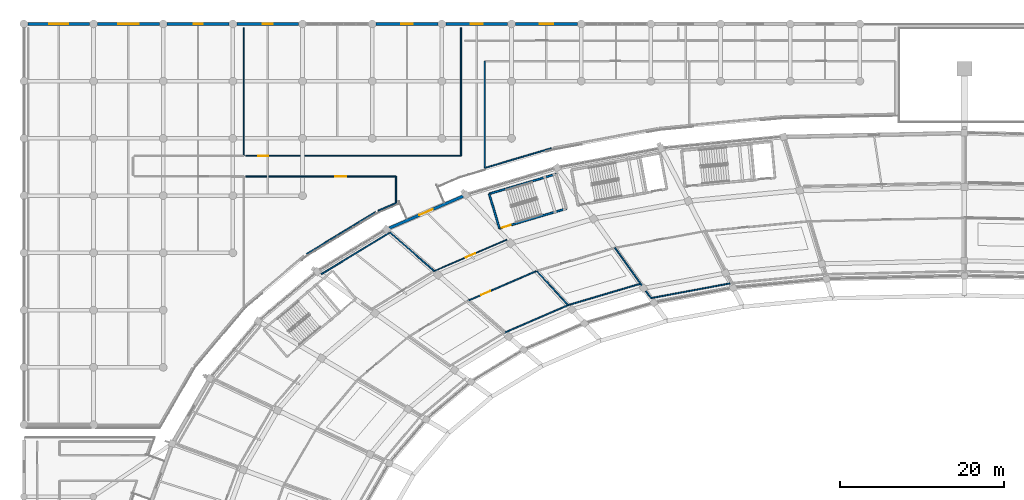
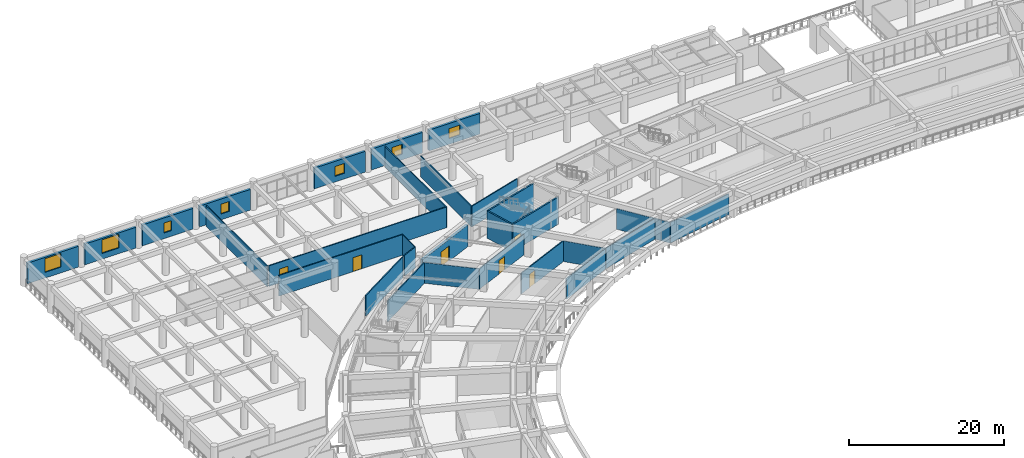
# One storey, part 108 of 145: 29 walls, 7 windows, 6 doors, 13 openings.
"""IFC4 building model written with IfcOpenShell, lengths in metres."""

import ifcopenshell
import ifcopenshell.guid

model = None  # the IFC model being written
_history = None  # IfcOwnerHistory: only IFC2X3 demands one
_inside = {}  # id of a spatial element -> (the spatial element, [elements in it])
_under = {}  # id of a project, library or spatial element -> (it, [spatial elements below it])
_declared = {}  # id of a project -> (the project, [libraries it declares])
_typed = {}  # id of a type object -> (the type object, [elements of that type])
_made_of = {}  # id of a material, layer set ... -> (it, [elements and type objects made of it])


def new_model(schema):
    """Start an empty IFC model of exactly this schema.

    Asked for "IFC4X3", IfcOpenShell would pick the latest addendum, in which some entities
    have other attributes; the version numbers below select the first issue.
    IFC2X3 requires an IfcOwnerHistory on every rooted entity: one is made here for all.
    """
    global model, _history
    if schema == "IFC4X3":
        model = ifcopenshell.file(schema_version=(4, 3, 0, 0))
    else:
        model = ifcopenshell.file(schema=schema)
    _inside.clear()
    _under.clear()
    _declared.clear()
    _typed.clear()
    _made_of.clear()
    _history = None
    if model.schema == "IFC2X3":
        org = make("IfcOrganization", Name="unknown")
        user = make(
            "IfcPersonAndOrganization",
            ThePerson=make("IfcPerson", FamilyName="unknown"),
            TheOrganization=org,
        )
        app = make(
            "IfcApplication",
            ApplicationDeveloper=org,
            Version="unknown",
            ApplicationFullName="unknown",
            ApplicationIdentifier="unknown",
        )
        _history = make(
            "IfcOwnerHistory",
            OwningUser=user,
            OwningApplication=app,
            ChangeAction="ADDED",
            CreationDate=0,
        )
    return model


def make(cls, **values):
    """One entity of the class cls with the attributes given. An attribute that is None is left unset."""
    return model.create_entity(
        cls, **{name: value for name, value in values.items() if value is not None}
    )


def rooted(cls, **values):
    """An entity with a GlobalId (a new one), such as an element, a storey or a relation."""
    return make(cls, GlobalId=ifcopenshell.guid.new(), OwnerHistory=_history, **values)


def si_unit(unit_type, name, prefix=None):
    """IfcSIUnit, for example si_unit("LENGTHUNIT", "METRE", prefix="MILLI")."""
    return make("IfcSIUnit", UnitType=unit_type, Prefix=prefix, Name=name)


def assignment(units):
    """IfcUnitAssignment: the units of a project."""
    return None if units is None else make("IfcUnitAssignment", Units=units)


def point(xyz):
    """IfcCartesianPoint."""
    return None if xyz is None else make("IfcCartesianPoint", Coordinates=xyz)


def direction(xyz):
    """IfcDirection."""
    return None if xyz is None else make("IfcDirection", DirectionRatios=xyz)


def frame(location, z_axis=None, x_axis=None):
    """IfcAxis2Placement3D, a coordinate frame: its origin and axes. An axis left out is left unset."""
    return make(
        "IfcAxis2Placement3D",
        Location=point(location),
        Axis=direction(z_axis),
        RefDirection=direction(x_axis),
    )


def frame_2d(location, x_axis=None):
    """IfcAxis2Placement2D, a coordinate frame in the plane: its origin and x axis."""
    return make(
        "IfcAxis2Placement2D", Location=point(location), RefDirection=direction(x_axis)
    )


def origin():
    """The frame at (0, 0, 0) with its axes left unset."""
    return frame((0.0, 0.0, 0.0))


def place(relative_to, where):
    """IfcLocalPlacement: puts the frame where relative to a parent placement (None: the world)."""
    return make(
        "IfcLocalPlacement", PlacementRelTo=relative_to, RelativePlacement=where
    )


def context(
    kind, dimensions, precision=None, world=None, true_north=None, identifier=None
):
    """IfcGeometricRepresentationContext, for example the 3D "Model" context."""
    return make(
        "IfcGeometricRepresentationContext",
        ContextIdentifier=identifier,
        ContextType=kind,
        CoordinateSpaceDimension=dimensions,
        Precision=precision,
        WorldCoordinateSystem=world,
        TrueNorth=true_north,
    )


def subcontext(parent, identifier, kind, view, scale=None):
    """IfcGeometricRepresentationSubContext, for example "Body" below "Model"."""
    return make(
        "IfcGeometricRepresentationSubContext",
        ContextIdentifier=identifier,
        ContextType=kind,
        ParentContext=parent,
        TargetScale=scale,
        TargetView=view,
    )


def project(units=None, contexts=None):
    """IfcProject with its units and contexts."""
    return rooted(
        "IfcProject",
        Name="project",
        RepresentationContexts=contexts,
        UnitsInContext=assignment(units),
    )


def spatial(cls, under=None, at=None, **own):
    """A site, building, storey or space (cls), placed at a placement, below another one or the project."""
    s = rooted(cls, ObjectPlacement=at, **own)
    if under is not None:
        _under.setdefault(under.id(), (under, []))[1].append(s)
    return s


def profile(cls, at=None, kind="AREA", **sizes):
    """A parametric profile (cls). Its sizes go by their IFC names, for example OverallWidth=200.0."""
    return make(cls, ProfileType=kind, Position=at, **sizes)


def rectangle(**sizes):
    """IfcRectangleProfileDef."""
    return profile("IfcRectangleProfileDef", **sizes)


def extrude(swept, where, along, depth):
    """IfcExtrudedAreaSolid: the profile swept, set in the frame where, extruded along a direction by depth."""
    return make(
        "IfcExtrudedAreaSolid",
        SweptArea=swept,
        Position=where,
        ExtrudedDirection=direction(along),
        Depth=depth,
    )


def shape(context_of_items, identifier, shape_type, items):
    """IfcShapeRepresentation: the items that make up one representation, for example the "Body"."""
    return make(
        "IfcShapeRepresentation",
        ContextOfItems=context_of_items,
        RepresentationIdentifier=identifier,
        RepresentationType=shape_type,
        Items=items,
    )


def material(Name=None, Category=None):
    """IfcMaterial."""
    return make("IfcMaterial", Name=Name, Category=Category)


def layer(
    of_material, thickness, ventilated=None, Name=None, Category=None, Priority=None
):
    """IfcMaterialLayer: one layer of a wall or slab, of a material (None: an air gap)."""
    return make(
        "IfcMaterialLayer",
        Material=of_material,
        LayerThickness=thickness,
        IsVentilated=ventilated,
        Name=Name,
        Category=Category,
        Priority=Priority,
    )


def layer_set(layers, Name=None):
    """IfcMaterialLayerSet."""
    return make("IfcMaterialLayerSet", MaterialLayers=layers, LayerSetName=Name)


def made_of(thing, what):
    """Note that an element or type object is made of a material, layer set ...; save() writes the relation."""
    if what is not None:
        _made_of.setdefault(what.id(), (what, []))[1].append(thing)
    return thing


def type_object(cls, material=None, **own):
    """A type object (cls), such as IfcWallType, which elements share."""
    return made_of(rooted(cls, **own), material)


def element(
    cls,
    number,
    at=None,
    inside=None,
    cuts=None,
    type_object=None,
    material=None,
    context=None,
    identifier="Body",
    shape_type=None,
    held_by="IfcProductDefinitionShape",
    body=None,
    shapes=None,
    **own,
):
    """One element of the class cls, such as IfcWall. Its Tag is "e" and its number.

    at: its placement. inside: the storey or other place that contains it. cuts: it is an
    opening in that element (IfcRelVoidsElement). A single representation is given by context,
    identifier, shape_type and body (its items); several are given by shapes. held_by: the class
    of the entity that holds the representations. save() writes the other relations.
    """
    e = rooted(cls, Tag="e%d" % number, ObjectPlacement=at, **own)
    if body is not None:
        shapes = [shape(context, identifier, shape_type, body)]
    if shapes is not None:
        e.Representation = make(held_by, Representations=shapes)
    if inside is not None:
        _inside.setdefault(inside.id(), (inside, []))[1].append(e)
    if cuts is not None:
        rooted(
            "IfcRelVoidsElement", RelatingBuildingElement=cuts, RelatedOpeningElement=e
        )
    if type_object is not None:
        _typed.setdefault(type_object.id(), (type_object, []))[1].append(e)
    return made_of(e, material)


def fill(opening, filler):
    """IfcRelFillsElement: the door or window that sits in an opening."""
    return rooted(
        "IfcRelFillsElement",
        RelatingOpeningElement=opening,
        RelatedBuildingElement=filler,
    )


def aggregate(whole, parts):
    """IfcRelAggregates: a whole, such as a stair, and the parts it consists of."""
    return rooted("IfcRelAggregates", RelatingObject=whole, RelatedObjects=parts)


def save(model, path):
    """Write the relations noted so far, then the file.

    IfcRelAggregates (storeys below a building ...), IfcRelContainedInSpatialStructure (elements
    in a storey), IfcRelDefinesByType, IfcRelAssociatesMaterial and IfcRelDeclares: one each for
    every whole, place, type object, material and project.
    """
    for whole, parts in _under.values():
        aggregate(whole, parts)
    for where, things in _inside.values():
        rooted(
            "IfcRelContainedInSpatialStructure",
            RelatedElements=things,
            RelatingStructure=where,
        )
    for kind, things in _typed.values():
        rooted("IfcRelDefinesByType", RelatedObjects=things, RelatingType=kind)
    for what, things in _made_of.values():
        rooted("IfcRelAssociatesMaterial", RelatedObjects=things, RelatingMaterial=what)
    for by, libraries in _declared.values():
        rooted("IfcRelDeclares", RelatingContext=by, RelatedDefinitions=libraries)
    model.write(path)


model = new_model("IFC4")

# Units and contexts
model_context = context("Model", 3, precision=1e-05, world=origin(), true_north=direction((0.0, 1.0)))
body_context = subcontext(model_context, "Body", "Model", "MODEL_VIEW")
ifc_project = project(units=[si_unit("LENGTHUNIT", "METRE"), si_unit("AREAUNIT", "SQUARE_METRE"), si_unit("VOLUMEUNIT", "CUBIC_METRE"), si_unit("PLANEANGLEUNIT", "RADIAN"), si_unit("MASSUNIT", "GRAM", prefix="KILO")], contexts=[model_context])

# Site, building, storey
site_placement = place(None, origin())
site = spatial("IfcSite", under=ifc_project, at=site_placement, CompositionType="ELEMENT")
building_placement = place(site_placement, origin())
building = spatial("IfcBuilding", under=site, at=building_placement, Name="Mphavela Belvedere Stadium", CompositionType="ELEMENT")
storey_placement = place(building_placement, frame((0.0, 0.0, 10.199951171875)))
storey = spatial("IfcBuildingStorey", under=building, at=storey_placement, Name="L02", CompositionType="ELEMENT", Elevation=10.199951171875)

# Walls
ifc_material_1 = material(Name="Concrete C40/50", Category="concrete")
ifc_layer_1 = layer(ifc_material_1, 0.219970703125)
ifc_layer_set_1 = layer_set([ifc_layer_1], Name="Concrete C40/50")
wall_type_1 = type_object("IfcWallType", Name="WAL-CORE-SHEAR-220", PredefinedType="SHEAR", material=ifc_layer_set_1)
wall_1_placement = place(storey_placement, frame((56.89501953125, 153.214111328125, 0.0), z_axis=(0.0, 0.0, 1.0), x_axis=(0.958675743706, 0.284500998997, 0.0)))
element("IfcWall", 1, at=wall_1_placement, inside=storey, type_object=wall_type_1, Name="Core P03 shear wall L02 rear", PredefinedType="SHEAR", context=body_context, shape_type="SweptSolid", body=[
    extrude(rectangle(XDim=8.540283203125, YDim=0.219970703125, at=frame_2d((4.27001953125, 0.0))), origin(), (0.0, 0.0, 1.0), 4.25),
])
wall_2_placement = place(storey_placement, frame((58.14990234375, 148.986083984375, 0.0), z_axis=(0.0, 0.0, 1.0), x_axis=(-0.284533106789, 0.958666214665, 0.0)))
element("IfcWall", 2, at=wall_2_placement, inside=storey, type_object=wall_type_1, Name="Core P03 shear wall L02 left", PredefinedType="SHEAR", context=body_context, shape_type="SweptSolid", body=[
    extrude(rectangle(XDim=4.410400390625, YDim=0.219970703125, at=frame_2d((2.205078125, 0.0))), origin(), (0.0, 0.0, 1.0), 4.25),
])

# Wall, opening, door
wall_3_placement = place(storey_placement, frame((58.14990234375, 148.986083984375, 0.0), z_axis=(0.0, 0.0, 1.0), x_axis=(0.958665631999, 0.284535069937, 0.0)))
wall_3 = element("IfcWall", 3, at=wall_3_placement, inside=storey, type_object=wall_type_1, Name="Core P03 shear wall L02 front", PredefinedType="SHEAR", context=body_context, shape_type="SweptSolid", body=[
    extrude(rectangle(XDim=8.5400390625, YDim=0.219970703125, at=frame_2d((4.27001953125, 0.0))), origin(), (0.0, 0.0, 1.0), 4.25),
])
opening_1_placement = place(wall_3_placement, frame((0.300048828125, 0.0, 0.0)))
opening_1 = element("IfcOpeningElement", 4, at=opening_1_placement, cuts=wall_3, Name="Opening SD-079", PredefinedType="OPENING", context=body_context, shape_type="SweptSolid", body=[
    extrude(rectangle(XDim=1.14990234375, YDim=2.14990234375, at=frame_2d((0.574951171875, 1.074951171875))), frame((0.0, 0.1201171875, 0.0), z_axis=(0.0, -1.0, 0.0), x_axis=(1.0, 0.0, 0.0)), (0.0, 0.0, 1.0), 0.239990234375),
])
ifc_material_2 = material(Name="Steel acoustic fire-resisting stair doorset", Category="steel")
door_type_1 = type_object("IfcDoorType", Name="DR-STAIR-FIRE-1150", OperationType="NOTDEFINED", PredefinedType="DOOR", material=ifc_material_2)
door_1_placement = place(opening_1_placement, origin())
door_1 = element("IfcDoor", 5, at=door_1_placement, inside=storey, type_object=door_type_1, Name="Escape stair fire door P03 L02", OperationType="SINGLE_SWING_LEFT", OverallHeight=2.14990234375, OverallWidth=1.14990234375, PredefinedType="DOOR", context=body_context, shape_type="SweptSolid", body=[
    extrude(rectangle(XDim=1.14990234375, YDim=2.14990234375, at=frame_2d((0.574951171875, 1.074951171875))), frame((0.0, 0.02490234375, 0.0), z_axis=(0.0, -1.0, 0.0), x_axis=(1.0, 0.0, 0.0)), (0.0, 0.0, 1.0), 0.050048828125),
])
fill(opening_1, door_1)

ifc_material_3 = material(Name="Honed ashlar limestone masonry", Category="masonry")
ifc_layer_2 = layer(ifc_material_3, 0.35009765625)
ifc_layer_set_2 = layer_set([ifc_layer_2], Name="Honed ashlar limestone masonry")
wall_type_2 = type_object("IfcWallType", Name="WAL-EXT-ASHLAR-350", PredefinedType="STANDARD", material=ifc_layer_set_2)
wall_4_placement = place(storey_placement, frame((44.6689453125, 149.019287109375, 0.0), z_axis=(0.0, 0.0, 1.0), x_axis=(0.917498288986, 0.397739726088, 0.0)))
wall_4 = element("IfcWall", 6, at=wall_4_placement, inside=storey, type_object=wall_type_2, Name="Classical link portal wall L02-17", PredefinedType="STANDARD", context=body_context, shape_type="SweptSolid", body=[
    extrude(rectangle(XDim=9.840087890625, YDim=0.35009765625, at=frame_2d((4.919921875, 0.0))), origin(), (0.0, 0.0, 1.0), 3.420166015625),
])
opening_2_placement = place(wall_4_placement, frame((4.02001953125, 0.0, 0.0)))
opening_2 = element("IfcOpeningElement", 7, at=opening_2_placement, cuts=wall_4, Name="Opening ID-9216", PredefinedType="OPENING", context=body_context, shape_type="SweptSolid", body=[
    extrude(rectangle(XDim=1.800048828125, YDim=2.39990234375, at=frame_2d((0.89990234375, 1.199951171875))), frame((0.0, 0.18505859375, 0.0), z_axis=(0.0, -1.0, 0.0), x_axis=(1.0, 0.0, 0.0)), (0.0, 0.0, 1.0), 0.3701171875),
])
ifc_material_4 = material(Name="Glazed bronze-anodised steel exit doorset", Category="steel")
door_type_2 = type_object("IfcDoorType", Name="DR-EXT-01", OperationType="NOTDEFINED", PredefinedType="DOOR", material=ifc_material_4)
door_2_placement = place(opening_2_placement, origin())
door_2 = element("IfcDoor", 8, at=door_2_placement, inside=storey, type_object=door_type_2, Name="Wing promenade link doorset L02-17", OperationType="DOUBLE_DOOR_SINGLE_SWING", OverallHeight=2.39990234375, OverallWidth=1.800048828125, PredefinedType="DOOR", context=body_context, shape_type="SweptSolid", body=[
    extrude(rectangle(XDim=1.800048828125, YDim=2.39990234375, at=frame_2d((0.89990234375, 1.199951171875))), frame((0.0, 0.02490234375, 0.0), z_axis=(0.0, -1.0, 0.0), x_axis=(1.0, 0.0, 0.0)), (0.0, 0.0, 1.0), 0.050048828125),
])
fill(opening_2, door_2)

# Wall, opening, window
wall_5_placement = place(storey_placement, frame((0.472900390625, 174.0, 0.0), z_axis=(0.0, 0.0, 1.0), x_axis=(1.0, 0.0, 0.0)))
wall_5 = element("IfcWall", 9, at=wall_5_placement, inside=storey, type_object=wall_type_2, Name="North Mast and Ceremonial End Forecourt outer facade bay L02-01", PredefinedType="STANDARD", context=body_context, shape_type="SweptSolid", body=[
    extrude(rectangle(XDim=7.572998046875, YDim=0.35009765625, at=frame_2d((3.78662109375, 0.0))), origin(), (0.0, 0.0, 1.0), 3.260009765625),
])
opening_3_placement = place(wall_5_placement, frame((2.6064453125, 0.0, 0.89990234375)))
opening_3 = element("IfcOpeningElement", 10, at=opening_3_placement, cuts=wall_5, Name="Opening W-175", PredefinedType="OPENING", context=body_context, shape_type="SweptSolid", body=[
    extrude(rectangle(XDim=2.360107421875, YDim=2.14990234375, at=frame_2d((1.18017578125, 1.074951171875))), frame((0.0, 0.18505859375, 0.0), z_axis=(0.0, -1.0, 0.0), x_axis=(1.0, 0.0, 0.0)), (0.0, 0.0, 1.0), 0.3701171875),
])
ifc_material_5 = material(Name="Bronze-anodised thermally broken aluminium window", Category="aluminium")
window_type_1 = type_object("IfcWindowType", Name="WIN-EXT-43", PartitioningType="SINGLE_PANEL", PredefinedType="WINDOW", material=ifc_material_5)
window_1_placement = place(opening_3_placement, origin())
window_1 = element("IfcWindow", 11, at=window_1_placement, inside=storey, type_object=window_type_1, Name="North Mast and Ceremonial End Forecourt classical window W-175", OverallHeight=2.14990234375, OverallWidth=2.360107421875, PartitioningType="SINGLE_PANEL", PredefinedType="WINDOW", context=body_context, shape_type="SweptSolid", body=[
    extrude(rectangle(XDim=2.360107421875, YDim=2.14990234375, at=frame_2d((1.18017578125, 1.074951171875))), frame((0.0, 0.030029296875, 0.0), z_axis=(0.0, -1.0, 0.0), x_axis=(1.0, 0.0, 0.0)), (0.0, 0.0, 1.0), 0.06005859375),
])
fill(opening_3, window_1)

wall_6_placement = place(storey_placement, frame((8.991943359375, 174.0, 0.0), z_axis=(0.0, 0.0, 1.0), x_axis=(1.0, 0.0, 0.0)))
wall_6 = element("IfcWall", 12, at=wall_6_placement, inside=storey, type_object=wall_type_2, Name="North Mast and Ceremonial End Forecourt outer facade bay L02-02", PredefinedType="STANDARD", context=body_context, shape_type="SweptSolid", body=[
    extrude(rectangle(XDim=7.572021484375, YDim=0.35009765625, at=frame_2d((3.7861328125, 0.0))), origin(), (0.0, 0.0, 1.0), 3.260009765625),
])
opening_4_placement = place(wall_6_placement, frame((2.52587890625, 0.0, 0.89990234375)))
opening_4 = element("IfcOpeningElement", 13, at=opening_4_placement, cuts=wall_6, Name="Opening W-176", PredefinedType="OPENING", context=body_context, shape_type="SweptSolid", body=[
    extrude(rectangle(XDim=2.52001953125, YDim=2.14990234375, at=frame_2d((1.260009765625, 1.074951171875))), frame((0.0, 0.18505859375, 0.0), z_axis=(0.0, -1.0, 0.0), x_axis=(1.0, 0.0, 0.0)), (0.0, 0.0, 1.0), 0.3701171875),
])
ifc_material_6 = material(Name="Bronze-anodised thermally broken aluminium window", Category="aluminium")
window_type_2 = type_object("IfcWindowType", Name="WIN-EXT-44", PartitioningType="SINGLE_PANEL", PredefinedType="WINDOW", material=ifc_material_6)
window_2_placement = place(opening_4_placement, origin())
window_2 = element("IfcWindow", 14, at=window_2_placement, inside=storey, type_object=window_type_2, Name="North Mast and Ceremonial End Forecourt classical window W-176", OverallHeight=2.14990234375, OverallWidth=2.52001953125, PartitioningType="SINGLE_PANEL", PredefinedType="WINDOW", context=body_context, shape_type="SweptSolid", body=[
    extrude(rectangle(XDim=2.52001953125, YDim=2.14990234375, at=frame_2d((1.260009765625, 1.074951171875))), frame((0.0, 0.030029296875, 0.0), z_axis=(0.0, -1.0, 0.0), x_axis=(1.0, 0.0, 0.0)), (0.0, 0.0, 1.0), 0.06005859375),
])
fill(opening_4, window_2)

wall_7_placement = place(storey_placement, frame((17.510009765625, 174.0, 0.0), z_axis=(0.0, 0.0, 1.0), x_axis=(1.0, 0.0, 0.0)))
wall_7 = element("IfcWall", 15, at=wall_7_placement, inside=storey, type_object=wall_type_2, Name="North Mast and Ceremonial End Forecourt outer facade bay L02-03", PredefinedType="STANDARD", context=body_context, shape_type="SweptSolid", body=[
    extrude(rectangle(XDim=7.572998046875, YDim=0.35009765625, at=frame_2d((3.78662109375, 0.0))), origin(), (0.0, 0.0, 1.0), 3.260009765625),
])
opening_5_placement = place(wall_7_placement, frame((3.236572265625, 0.0, 0.89990234375)))
opening_5 = element("IfcOpeningElement", 16, at=opening_5_placement, cuts=wall_7, Name="Opening W-177", PredefinedType="OPENING", context=body_context, shape_type="SweptSolid", body=[
    extrude(rectangle(XDim=1.10009765625, YDim=1.550048828125, at=frame_2d((0.550048828125, 0.77490234375))), frame((0.0, 0.18505859375, 0.0), z_axis=(0.0, -1.0, 0.0), x_axis=(1.0, 0.0, 0.0)), (0.0, 0.0, 1.0), 0.3701171875),
])
ifc_material_7 = material(Name="Bronze-anodised thermally broken aluminium window", Category="aluminium")
window_type_3 = type_object("IfcWindowType", Name="WIN-EXT-01", PartitioningType="SINGLE_PANEL", PredefinedType="WINDOW", material=ifc_material_7)
window_3_placement = place(opening_5_placement, origin())
window_3 = element("IfcWindow", 17, at=window_3_placement, inside=storey, type_object=window_type_3, Name="North Mast and Ceremonial End Forecourt classical window W-177", OverallHeight=1.550048828125, OverallWidth=1.10009765625, PartitioningType="SINGLE_PANEL", PredefinedType="WINDOW", context=body_context, shape_type="SweptSolid", body=[
    extrude(rectangle(XDim=1.10009765625, YDim=1.550048828125, at=frame_2d((0.550048828125, 0.77490234375))), frame((0.0, 0.030029296875, 0.0), z_axis=(0.0, -1.0, 0.0), x_axis=(1.0, 0.0, 0.0)), (0.0, 0.0, 1.0), 0.06005859375),
])
fill(opening_5, window_3)

wall_8_placement = place(storey_placement, frame((26.029052734375, 174.0, 0.0), z_axis=(0.0, 0.0, 1.0), x_axis=(1.0, 0.0, 0.0)))
wall_8 = element("IfcWall", 18, at=wall_8_placement, inside=storey, type_object=wall_type_2, Name="North Mast and Ceremonial End Forecourt outer facade bay L02-04", PredefinedType="STANDARD", context=body_context, shape_type="SweptSolid", body=[
    extrude(rectangle(XDim=7.572021484375, YDim=0.35009765625, at=frame_2d((3.7861328125, 0.0))), origin(), (0.0, 0.0, 1.0), 3.260009765625),
])
opening_6_placement = place(wall_8_placement, frame((3.166015625, 0.0, 0.89990234375)))
opening_6 = element("IfcOpeningElement", 19, at=opening_6_placement, cuts=wall_8, Name="Opening W-178", PredefinedType="OPENING", context=body_context, shape_type="SweptSolid", body=[
    extrude(rectangle(XDim=1.239990234375, YDim=1.550048828125, at=frame_2d((0.6201171875, 0.77490234375))), frame((0.0, 0.18505859375, 0.0), z_axis=(0.0, -1.0, 0.0), x_axis=(1.0, 0.0, 0.0)), (0.0, 0.0, 1.0), 0.3701171875),
])
ifc_material_8 = material(Name="Bronze-anodised thermally broken aluminium window", Category="aluminium")
window_type_4 = type_object("IfcWindowType", Name="WIN-EXT-02", PartitioningType="SINGLE_PANEL", PredefinedType="WINDOW", material=ifc_material_8)
window_4_placement = place(opening_6_placement, origin())
window_4 = element("IfcWindow", 20, at=window_4_placement, inside=storey, type_object=window_type_4, Name="North Mast and Ceremonial End Forecourt classical window W-178", OverallHeight=1.550048828125, OverallWidth=1.239990234375, PartitioningType="SINGLE_PANEL", PredefinedType="WINDOW", context=body_context, shape_type="SweptSolid", body=[
    extrude(rectangle(XDim=1.239990234375, YDim=1.550048828125, at=frame_2d((0.6201171875, 0.77490234375))), frame((0.0, 0.030029296875, 0.0), z_axis=(0.0, -1.0, 0.0), x_axis=(1.0, 0.0, 0.0)), (0.0, 0.0, 1.0), 0.06005859375),
])
fill(opening_6, window_4)

wall_9_placement = place(storey_placement, frame((43.06591796875, 174.0, 0.0), z_axis=(0.0, 0.0, 1.0), x_axis=(1.0, 0.0, 0.0)))
wall_9 = element("IfcWall", 21, at=wall_9_placement, inside=storey, type_object=wall_type_2, Name="North Mast and Ceremonial End Forecourt outer facade bay L02-06", PredefinedType="STANDARD", context=body_context, shape_type="SweptSolid", body=[
    extrude(rectangle(XDim=7.572021484375, YDim=0.35009765625, at=frame_2d((3.7861328125, 0.0))), origin(), (0.0, 0.0, 1.0), 3.260009765625),
])
opening_7_placement = place(wall_9_placement, frame((3.095947265625, 0.0, 0.89990234375)))
opening_7 = element("IfcOpeningElement", 22, at=opening_7_placement, cuts=wall_9, Name="Opening W-179", PredefinedType="OPENING", context=body_context, shape_type="SweptSolid", body=[
    extrude(rectangle(XDim=1.3798828125, YDim=1.550048828125, at=frame_2d((0.68994140625, 0.77490234375))), frame((0.0, 0.18505859375, 0.0), z_axis=(0.0, -1.0, 0.0), x_axis=(1.0, 0.0, 0.0)), (0.0, 0.0, 1.0), 0.3701171875),
])
ifc_material_9 = material(Name="Bronze-anodised thermally broken aluminium window", Category="aluminium")
window_type_5 = type_object("IfcWindowType", Name="WIN-EXT-03", PartitioningType="SINGLE_PANEL", PredefinedType="WINDOW", material=ifc_material_9)
window_5_placement = place(opening_7_placement, origin())
window_5 = element("IfcWindow", 23, at=window_5_placement, inside=storey, type_object=window_type_5, Name="North Mast and Ceremonial End Forecourt classical window W-179", OverallHeight=1.550048828125, OverallWidth=1.3798828125, PartitioningType="SINGLE_PANEL", PredefinedType="WINDOW", context=body_context, shape_type="SweptSolid", body=[
    extrude(rectangle(XDim=1.3798828125, YDim=1.550048828125, at=frame_2d((0.68994140625, 0.77490234375))), frame((0.0, 0.030029296875, 0.0), z_axis=(0.0, -1.0, 0.0), x_axis=(1.0, 0.0, 0.0)), (0.0, 0.0, 1.0), 0.06005859375),
])
fill(opening_7, window_5)

wall_10_placement = place(storey_placement, frame((51.583984375, 174.0, 0.0), z_axis=(0.0, 0.0, 1.0), x_axis=(1.0, 0.0, 0.0)))
wall_10 = element("IfcWall", 24, at=wall_10_placement, inside=storey, type_object=wall_type_2, Name="North Mast and Ceremonial End Forecourt outer facade bay L02-07", PredefinedType="STANDARD", context=body_context, shape_type="SweptSolid", body=[
    extrude(rectangle(XDim=7.572998046875, YDim=0.35009765625, at=frame_2d((3.78662109375, 0.0))), origin(), (0.0, 0.0, 1.0), 3.260009765625),
])
opening_8_placement = place(wall_10_placement, frame((3.026611328125, 0.0, 0.89990234375)))
opening_8 = element("IfcOpeningElement", 25, at=opening_8_placement, cuts=wall_10, Name="Opening W-180", PredefinedType="OPENING", context=body_context, shape_type="SweptSolid", body=[
    extrude(rectangle(XDim=1.52001953125, YDim=1.550048828125, at=frame_2d((0.760009765625, 0.77490234375))), frame((0.0, 0.18505859375, 0.0), z_axis=(0.0, -1.0, 0.0), x_axis=(1.0, 0.0, 0.0)), (0.0, 0.0, 1.0), 0.3701171875),
])
ifc_material_10 = material(Name="Bronze-anodised thermally broken aluminium window", Category="aluminium")
window_type_6 = type_object("IfcWindowType", Name="WIN-EXT-04", PartitioningType="SINGLE_PANEL", PredefinedType="WINDOW", material=ifc_material_10)
window_6_placement = place(opening_8_placement, origin())
window_6 = element("IfcWindow", 26, at=window_6_placement, inside=storey, type_object=window_type_6, Name="North Mast and Ceremonial End Forecourt classical window W-180", OverallHeight=1.550048828125, OverallWidth=1.52001953125, PartitioningType="SINGLE_PANEL", PredefinedType="WINDOW", context=body_context, shape_type="SweptSolid", body=[
    extrude(rectangle(XDim=1.52001953125, YDim=1.550048828125, at=frame_2d((0.760009765625, 0.77490234375))), frame((0.0, 0.030029296875, 0.0), z_axis=(0.0, -1.0, 0.0), x_axis=(1.0, 0.0, 0.0)), (0.0, 0.0, 1.0), 0.06005859375),
])
fill(opening_8, window_6)

wall_11_placement = place(storey_placement, frame((60.10302734375, 174.0, 0.0), z_axis=(0.0, 0.0, 1.0), x_axis=(1.0, 0.0, 0.0)))
wall_11 = element("IfcWall", 27, at=wall_11_placement, inside=storey, type_object=wall_type_2, Name="North Mast and Ceremonial End Forecourt outer facade bay L02-08", PredefinedType="STANDARD", context=body_context, shape_type="SweptSolid", body=[
    extrude(rectangle(XDim=7.572021484375, YDim=0.35009765625, at=frame_2d((3.7861328125, 0.0))), origin(), (0.0, 0.0, 1.0), 3.260009765625),
])
opening_9_placement = place(wall_11_placement, frame((2.9560546875, 0.0, 0.89990234375)))
opening_9 = element("IfcOpeningElement", 28, at=opening_9_placement, cuts=wall_11, Name="Opening W-181", PredefinedType="OPENING", context=body_context, shape_type="SweptSolid", body=[
    extrude(rectangle(XDim=1.659912109375, YDim=1.550048828125, at=frame_2d((0.830078125, 0.77490234375))), frame((0.0, 0.18505859375, 0.0), z_axis=(0.0, -1.0, 0.0), x_axis=(1.0, 0.0, 0.0)), (0.0, 0.0, 1.0), 0.3701171875),
])
ifc_material_11 = material(Name="Bronze-anodised thermally broken aluminium window", Category="aluminium")
window_type_7 = type_object("IfcWindowType", Name="WIN-EXT-05", PartitioningType="SINGLE_PANEL", PredefinedType="WINDOW", material=ifc_material_11)
window_7_placement = place(opening_9_placement, origin())
window_7 = element("IfcWindow", 29, at=window_7_placement, inside=storey, type_object=window_type_7, Name="North Mast and Ceremonial End Forecourt classical window W-181", OverallHeight=1.550048828125, OverallWidth=1.659912109375, PartitioningType="SINGLE_PANEL", PredefinedType="WINDOW", context=body_context, shape_type="SweptSolid", body=[
    extrude(rectangle(XDim=1.659912109375, YDim=1.550048828125, at=frame_2d((0.830078125, 0.77490234375))), frame((0.0, 0.030029296875, 0.0), z_axis=(0.0, -1.0, 0.0), x_axis=(1.0, 0.0, 0.0)), (0.0, 0.0, 1.0), 0.06005859375),
])
fill(opening_9, window_7)

# Wall, opening, door
ifc_material_12 = material(Name="Moisture-resistant sanitary partition assembly")
ifc_layer_3 = layer(ifc_material_12, 0.125)
ifc_layer_set_3 = layer_set([ifc_layer_3], Name="Moisture-resistant sanitary partition assembly")
wall_type_3 = type_object("IfcWallType", Name="WAL-PART-125", PredefinedType="PARTITIONING", material=ifc_layer_set_3)
wall_12_placement = place(storey_placement, frame((59.0537109375, 147.61865234375, 0.0), z_axis=(0.0, 0.0, 1.0), x_axis=(-0.917508957037, -0.39771511633, 0.0)))
wall_12 = element("IfcWall", 30, at=wall_12_placement, inside=storey, type_object=wall_type_3, Name="Room L02-76 corridor partition", PredefinedType="PARTITIONING", context=body_context, shape_type="SweptSolid", body=[
    extrude(rectangle(XDim=9.67138671875, YDim=0.125, at=frame_2d((4.835693359375, 0.0))), origin(), (0.0, 0.0, 1.0), 3.25),
])
opening_10_placement = place(wall_12_placement, frame((4.2255859375, 0.0, 0.0)))
opening_10 = element("IfcOpeningElement", 31, at=opening_10_placement, cuts=wall_12, Name="Opening ID-189", PredefinedType="OPENING", context=body_context, shape_type="SweptSolid", body=[
    extrude(rectangle(XDim=1.219970703125, YDim=2.10009765625, at=frame_2d((0.60986328125, 1.050048828125))), frame((0.0, 0.072509765625, 0.0), z_axis=(0.0, -1.0, 0.0), x_axis=(1.0, 0.0, 0.0)), (0.0, 0.0, 1.0), 0.14501953125),
])
ifc_material_13 = material(Name="Hardwood acoustic timber doorset", Category="wood")
door_type_3 = type_object("IfcDoorType", Name="DR-INT-09", OperationType="NOTDEFINED", PredefinedType="DOOR", material=ifc_material_13)
door_3_placement = place(opening_10_placement, origin())
door_3 = element("IfcDoor", 32, at=door_3_placement, inside=storey, type_object=door_type_3, Name="Room L02-76 entrance door ID-189", OperationType="SINGLE_SWING_LEFT", OverallHeight=2.10009765625, OverallWidth=1.219970703125, PredefinedType="DOOR", context=body_context, shape_type="SweptSolid", body=[
    extrude(rectangle(XDim=1.219970703125, YDim=2.10009765625, at=frame_2d((0.60986328125, 1.050048828125))), frame((0.0, 0.02490234375, 0.0), z_axis=(0.0, -1.0, 0.0), x_axis=(1.0, 0.0, 0.0)), (0.0, 0.0, 1.0), 0.050048828125),
])
fill(opening_10, door_3)

ifc_material_14 = material(Name="Acoustic gypsum stud partition assembly")
ifc_layer_4 = layer(ifc_material_14, 0.14990234375)
ifc_layer_set_4 = layer_set([ifc_layer_4], Name="Acoustic gypsum stud partition assembly")
wall_type_4 = type_object("IfcWallType", Name="WAL-PART-150", PredefinedType="PARTITIONING", material=ifc_layer_set_4)
wall_13_placement = place(storey_placement, frame((54.315185546875, 140.15380859375, 0.0), z_axis=(0.0, 0.0, 1.0), x_axis=(0.917494590455, 0.397748257677, 0.0)))
wall_13 = element("IfcWall", 33, at=wall_13_placement, inside=storey, type_object=wall_type_4, Name="Room L02-75 corridor partition", PredefinedType="PARTITIONING", context=body_context, shape_type="SweptSolid", body=[
    extrude(rectangle(XDim=9.04931640625, YDim=0.14990234375, at=frame_2d((4.524658203125, 0.0))), origin(), (0.0, 0.0, 1.0), 3.25),
])
opening_11_placement = place(wall_13_placement, frame((1.765869140625, 0.0, 0.0)))
opening_11 = element("IfcOpeningElement", 34, at=opening_11_placement, cuts=wall_13, Name="Opening ID-188", PredefinedType="OPENING", context=body_context, shape_type="SweptSolid", body=[
    extrude(rectangle(XDim=1.179931640625, YDim=2.10009765625, at=frame_2d((0.58984375, 1.050048828125))), frame((0.0, 0.0849609375, 0.0), z_axis=(0.0, -1.0, 0.0), x_axis=(1.0, 0.0, 0.0)), (0.0, 0.0, 1.0), 0.169921875),
])
ifc_material_15 = material(Name="Hardwood acoustic timber doorset", Category="wood")
door_type_4 = type_object("IfcDoorType", Name="DR-INT-08", OperationType="NOTDEFINED", PredefinedType="DOOR", material=ifc_material_15)
door_4_placement = place(opening_11_placement, origin())
door_4 = element("IfcDoor", 35, at=door_4_placement, inside=storey, type_object=door_type_4, Name="Room L02-75 entrance door ID-188", OperationType="SINGLE_SWING_RIGHT", OverallHeight=2.10009765625, OverallWidth=1.179931640625, PredefinedType="DOOR", context=body_context, shape_type="SweptSolid", body=[
    extrude(rectangle(XDim=1.179931640625, YDim=2.10009765625, at=frame_2d((0.58984375, 1.050048828125))), frame((0.0, 0.02490234375, 0.0), z_axis=(0.0, -1.0, 0.0), x_axis=(1.0, 0.0, 0.0)), (0.0, 0.0, 1.0), 0.050048828125),
])
fill(opening_11, door_4)

wall_14_placement = place(storey_placement, frame((53.449951171875, 157.860107421875, 0.0), z_axis=(0.0, 0.0, 1.0), x_axis=(-1.0, 0.0, 0.0)))
wall_14 = element("IfcWall", 36, at=wall_14_placement, inside=storey, type_object=wall_type_4, Name="Room L02-174 corridor partition", PredefinedType="PARTITIONING", context=body_context, shape_type="SweptSolid", body=[
    extrude(rectangle(XDim=26.349853515625, YDim=0.14990234375, at=frame_2d((13.1748046875, 0.0))), origin(), (0.0, 0.0, 1.0), 3.25),
])
opening_12_placement = place(wall_14_placement, frame((23.547607421875, 0.0, 0.0)))
opening_12 = element("IfcOpeningElement", 37, at=opening_12_placement, cuts=wall_14, Name="Opening ID-454", PredefinedType="OPENING", context=body_context, shape_type="SweptSolid", body=[
    extrude(rectangle(XDim=1.260009765625, YDim=2.199951171875, at=frame_2d((0.6298828125, 1.10009765625))), frame((0.0, 0.0849609375, 0.0), z_axis=(0.0, -1.0, 0.0), x_axis=(1.0, 0.0, 0.0)), (0.0, 0.0, 1.0), 0.169921875),
])
ifc_material_16 = material(Name="Hardwood acoustic timber doorset", Category="wood")
door_type_5 = type_object("IfcDoorType", Name="DR-INT-22", OperationType="NOTDEFINED", PredefinedType="DOOR", material=ifc_material_16)
door_5_placement = place(opening_12_placement, origin())
door_5 = element("IfcDoor", 38, at=door_5_placement, inside=storey, type_object=door_type_5, Name="Room L02-174 entrance door ID-454", OperationType="SINGLE_SWING_RIGHT", OverallHeight=2.199951171875, OverallWidth=1.260009765625, PredefinedType="DOOR", context=body_context, shape_type="SweptSolid", body=[
    extrude(rectangle(XDim=1.260009765625, YDim=2.199951171875, at=frame_2d((0.6298828125, 1.10009765625))), frame((0.0, 0.02490234375, 0.0), z_axis=(0.0, -1.0, 0.0), x_axis=(1.0, 0.0, 0.0)), (0.0, 0.0, 1.0), 0.050048828125),
])
fill(opening_12, door_5)

wall_15_placement = place(storey_placement, frame((27.10009765625, 155.340087890625, 0.0), z_axis=(0.0, 0.0, 1.0), x_axis=(1.0, 0.0, 0.0)))
wall_15 = element("IfcWall", 39, at=wall_15_placement, inside=storey, type_object=wall_type_4, Name="Room L02-175 corridor partition", PredefinedType="PARTITIONING", context=body_context, shape_type="SweptSolid", body=[
    extrude(rectangle(XDim=18.389892578125, YDim=0.14990234375, at=frame_2d((9.19482421875, 0.0))), origin(), (0.0, 0.0, 1.0), 3.25),
])
opening_13_placement = place(wall_15_placement, frame((10.99951171875, 0.0, 0.0)))
opening_13 = element("IfcOpeningElement", 40, at=opening_13_placement, cuts=wall_15, Name="Opening ID-455", PredefinedType="OPENING", context=body_context, shape_type="SweptSolid", body=[
    extrude(rectangle(XDim=1.320068359375, YDim=2.199951171875, at=frame_2d((0.66015625, 1.10009765625))), frame((0.0, 0.0849609375, 0.0), z_axis=(0.0, -1.0, 0.0), x_axis=(1.0, 0.0, 0.0)), (0.0, 0.0, 1.0), 0.169921875),
])
ifc_material_17 = material(Name="Hardwood acoustic timber doorset", Category="wood")
door_type_6 = type_object("IfcDoorType", Name="DR-INT-23", OperationType="NOTDEFINED", PredefinedType="DOOR", material=ifc_material_17)
door_6_placement = place(opening_13_placement, origin())
door_6 = element("IfcDoor", 41, at=door_6_placement, inside=storey, type_object=door_type_6, Name="Room L02-175 entrance door ID-455", OperationType="SINGLE_SWING_LEFT", OverallHeight=2.199951171875, OverallWidth=1.320068359375, PredefinedType="DOOR", context=body_context, shape_type="SweptSolid", body=[
    extrude(rectangle(XDim=1.320068359375, YDim=2.199951171875, at=frame_2d((0.66015625, 1.10009765625))), frame((0.0, 0.02490234375, 0.0), z_axis=(0.0, -1.0, 0.0), x_axis=(1.0, 0.0, 0.0)), (0.0, 0.0, 1.0), 0.050048828125),
])
fill(opening_13, door_6)

# Walls
wall_16_placement = place(storey_placement, frame((86.400634765625, 142.27685546875, 0.0), z_axis=(0.0, 0.0, 1.0), x_axis=(-0.98309647403, -0.183088292225, 0.0)))
element("IfcWall", 42, at=wall_16_placement, inside=storey, type_object=wall_type_4, Name="Room divider partition L02-0332", PredefinedType="PARTITIONING", context=body_context, shape_type="SweptSolid", body=[
    extrude(rectangle(XDim=9.8876953125, YDim=0.14990234375, at=frame_2d((4.94384765625, 0.0))), origin(), (0.0, 0.0, 1.0), 3.25),
])
wall_17_placement = place(storey_placement, frame((76.68017578125, 140.466552734375, 0.0), z_axis=(0.0, 0.0, 1.0), x_axis=(-0.583043547447, 0.812440903562, 0.0)))
element("IfcWall", 43, at=wall_17_placement, inside=storey, type_object=wall_type_4, Name="Room divider partition L02-0333", PredefinedType="PARTITIONING", context=body_context, shape_type="SweptSolid", body=[
    extrude(rectangle(XDim=7.56689453125, YDim=0.14990234375, at=frame_2d((3.783447265625, 0.0))), origin(), (0.0, 0.0, 1.0), 3.25),
])
wall_18_placement = place(storey_placement, frame((75.32861328125, 142.21240234375, 0.0), z_axis=(0.0, 0.0, 1.0), x_axis=(-0.958661639872, -0.284548520005, 0.0)))
element("IfcWall", 44, at=wall_18_placement, inside=storey, type_object=wall_type_4, Name="Room divider partition L02-0334", PredefinedType="PARTITIONING", context=body_context, shape_type="SweptSolid", body=[
    extrude(rectangle(XDim=9.157470703125, YDim=0.14990234375, at=frame_2d((4.57861328125, 0.0))), origin(), (0.0, 0.0, 1.0), 3.25),
])
wall_19_placement = place(storey_placement, frame((66.5498046875, 139.606689453125, 0.0), z_axis=(0.0, 0.0, 1.0), x_axis=(-0.677844218495, 0.735205559999, 0.0)))
element("IfcWall", 45, at=wall_19_placement, inside=storey, type_object=wall_type_4, Name="Room divider partition L02-0335", PredefinedType="PARTITIONING", context=body_context, shape_type="SweptSolid", body=[
    extrude(rectangle(XDim=5.677734375, YDim=0.14990234375, at=frame_2d((2.8388671875, 0.0))), origin(), (0.0, 0.0, 1.0), 3.25),
])
wall_20_placement = place(storey_placement, frame((66.4697265625, 139.57568359375, 0.0), z_axis=(0.0, 0.0, 1.0), x_axis=(-0.917493946853, -0.397749742286, 0.0)))
element("IfcWall", 46, at=wall_20_placement, inside=storey, type_object=wall_type_4, Name="Room divider partition L02-0336", PredefinedType="PARTITIONING", context=body_context, shape_type="SweptSolid", body=[
    extrude(rectangle(XDim=8.377197265625, YDim=0.14990234375, at=frame_2d((4.1884765625, 0.0))), origin(), (0.0, 0.0, 1.0), 3.25),
])
wall_21_placement = place(storey_placement, frame((50.18017578125, 143.772216796875, 0.0), z_axis=(0.0, 0.0, 1.0), x_axis=(-0.752576694707, 0.658504607869, 0.0)))
element("IfcWall", 47, at=wall_21_placement, inside=storey, type_object=wall_type_4, Name="Room divider partition L02-0338", PredefinedType="PARTITIONING", context=body_context, shape_type="SweptSolid", body=[
    extrude(rectangle(XDim=7.178466796875, YDim=0.14990234375, at=frame_2d((3.58935546875, 0.0))), origin(), (0.0, 0.0, 1.0), 3.25),
])
wall_22_placement = place(storey_placement, frame((36.364990234375, 143.390869140625, 0.0), z_axis=(0.0, 0.0, 1.0), x_axis=(0.854323689683, 0.519741313777, 0.0)))
element("IfcWall", 48, at=wall_22_placement, inside=storey, type_object=wall_type_4, Name="Room divider partition L02-0341", PredefinedType="PARTITIONING", context=body_context, shape_type="SweptSolid", body=[
    extrude(rectangle(XDim=9.755859375, YDim=0.14990234375, at=frame_2d((4.8779296875, 0.0))), origin(), (0.0, 0.0, 1.0), 3.25),
])
for number, where, z_axis, x_axis, name in (
    (49, (26.89990234375, 173.550048828125, 0.0), (0.0, 0.0, 1.0), (0.0, -1.0, 0.0), "Room divider partition L02-0996"),
    (50, (53.449951171875, 173.550048828125, 0.0), (0.0, 0.0, 1.0), (0.0, -1.0, 0.0), "Room divider partition L02-0998"),
):
    element("IfcWall", number, at=place(storey_placement, frame(where, z_axis=z_axis, x_axis=x_axis)), inside=storey, type_object=wall_type_4, Name=name, PredefinedType="PARTITIONING", context=body_context, shape_type="SweptSolid", body=[
        extrude(rectangle(XDim=15.68994140625, YDim=0.14990234375, at=frame_2d((7.844970703125, 0.0))), origin(), (0.0, 0.0, 1.0), 3.25),
    ])
wall_23_placement = place(storey_placement, frame((45.489990234375, 155.340087890625, 0.0), z_axis=(0.0, 0.0, 1.0), x_axis=(0.0, -1.0, 0.0)))
element("IfcWall", 51, at=wall_23_placement, inside=storey, type_object=wall_type_4, Name="Room divider partition L02-0999", PredefinedType="PARTITIONING", context=body_context, shape_type="SweptSolid", body=[
    extrude(rectangle(XDim=3.240234375, YDim=0.14990234375, at=frame_2d((1.6201171875, 0.0))), origin(), (0.0, 0.0, 1.0), 3.25),
])
wall_24_placement = place(storey_placement, frame((45.489990234375, 152.099853515625, 0.0), z_axis=(0.0, 0.0, 1.0), x_axis=(-0.917484400903, -0.397771761314, 0.0)))
element("IfcWall", 52, at=wall_24_placement, inside=storey, type_object=wall_type_4, Name="Room divider partition L02-1000", PredefinedType="PARTITIONING", context=body_context, shape_type="SweptSolid", body=[
    extrude(rectangle(XDim=2.37646484375, YDim=0.14990234375, at=frame_2d((1.188232421875, 0.0))), origin(), (0.0, 0.0, 1.0), 3.25),
])
wall_25_placement = place(storey_placement, frame((43.00439453125, 150.99658203125, 0.0), z_axis=(0.0, 0.0, 1.0), x_axis=(-0.854333268174, -0.519725568826, 0.0)))
element("IfcWall", 53, at=wall_25_placement, inside=storey, type_object=wall_type_4, Name="Room divider partition L02-1001", PredefinedType="PARTITIONING", context=body_context, shape_type="SweptSolid", body=[
    extrude(rectangle(XDim=9.90185546875, YDim=0.14990234375, at=frame_2d((4.950927734375, 0.0))), origin(), (0.0, 0.0, 1.0), 3.25),
])
wall_26_placement = place(storey_placement, frame((64.4873046875, 158.79345703125, 0.0), z_axis=(0.0, 0.0, 1.0), x_axis=(-0.95866000112, -0.284554041006, 0.0)))
element("IfcWall", 54, at=wall_26_placement, inside=storey, type_object=wall_type_4, Name="Room divider partition L02-1021", PredefinedType="PARTITIONING", context=body_context, shape_type="SweptSolid", body=[
    extrude(rectangle(XDim=8.477783203125, YDim=0.14990234375, at=frame_2d((4.23876953125, 0.0))), origin(), (0.0, 0.0, 1.0), 3.25),
])
wall_27_placement = place(storey_placement, frame((56.360107421875, 156.381103515625, 0.0), z_axis=(0.0, 0.0, 1.0), x_axis=(0.0, 1.0, 0.0)))
element("IfcWall", 55, at=wall_27_placement, inside=storey, type_object=wall_type_4, Name="Room divider partition L02-1022", PredefinedType="PARTITIONING", context=body_context, shape_type="SweptSolid", body=[
    extrude(rectangle(XDim=13.058837890625, YDim=0.14990234375, at=frame_2d((6.529296875, 0.0))), origin(), (0.0, 0.0, 1.0), 3.25),
])

save(model, "model.ifc")
